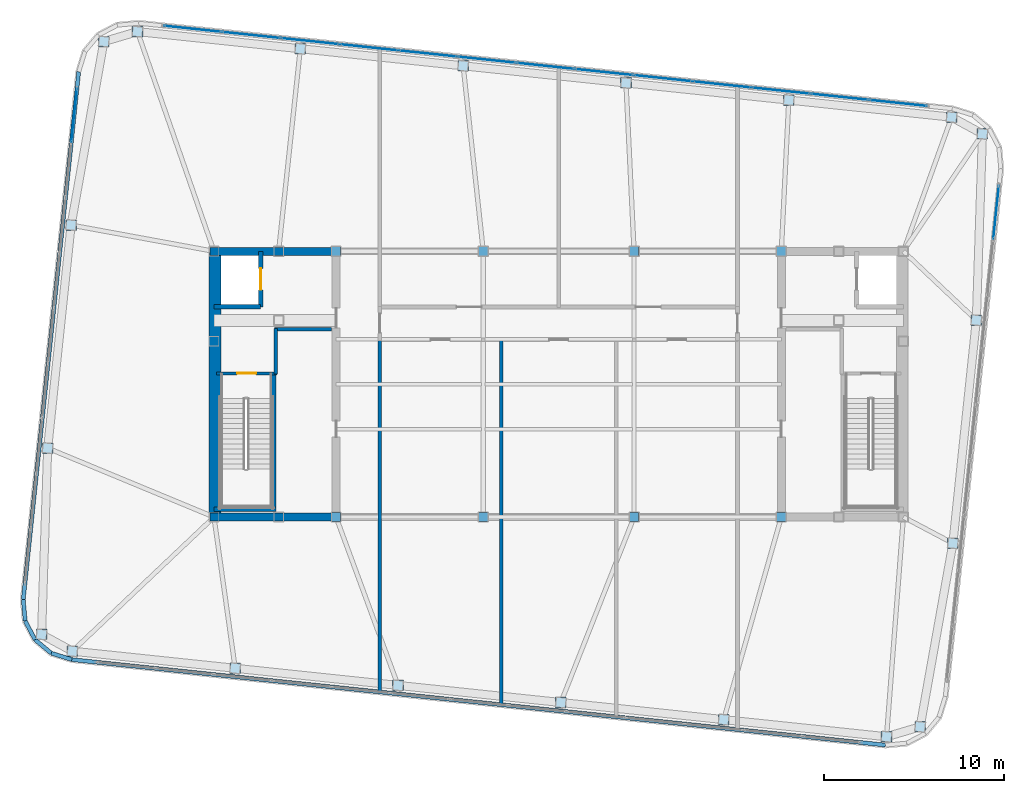
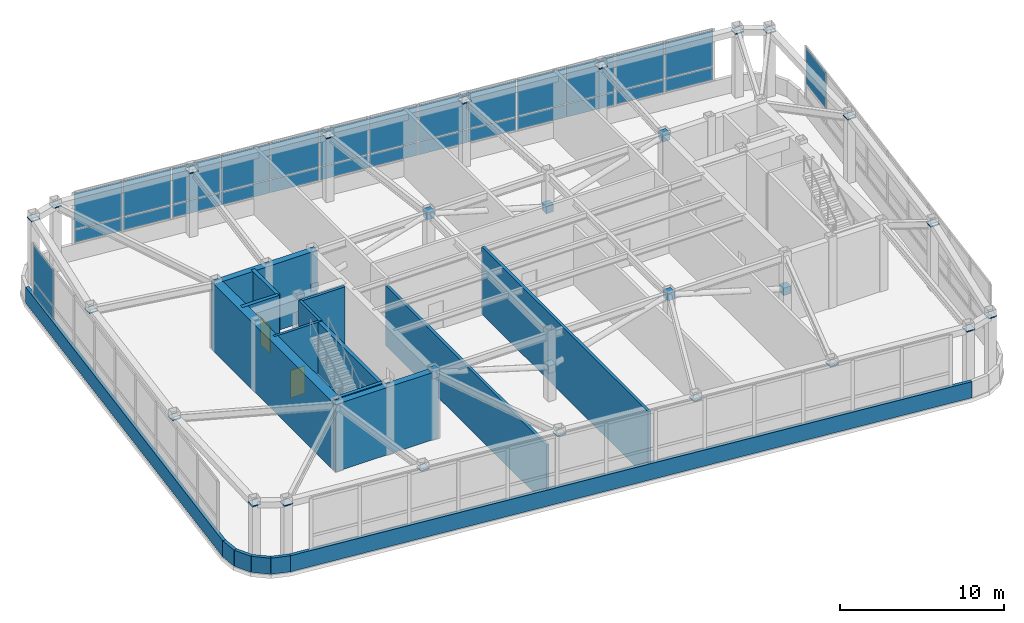
# One storey, part 19 of 23: 57 plates, 18 walls, 2 doors, 2 openings, 3 elements without a shape of their own.
"""IFC4 building model written with IfcOpenShell, lengths in metres."""

from ifc_helpers import new_model, si_unit, direction, frame, frame_2d, origin, origin_2d, place, context, subcontext, project, spatial, rectangle, extrude, material, layer, layer_set, type_object, element, fill, aggregate, save


model = new_model("IFC4")

# Units and contexts
model_context = context("Model", 3, precision=1e-05, world=origin(), true_north=direction((0.0, 1.0)))
body_context = subcontext(model_context, "Body", "Model", "MODEL_VIEW")
ifc_project = project(units=[si_unit("LENGTHUNIT", "METRE"), si_unit("AREAUNIT", "SQUARE_METRE"), si_unit("VOLUMEUNIT", "CUBIC_METRE"), si_unit("PLANEANGLEUNIT", "RADIAN"), si_unit("MASSUNIT", "GRAM", prefix="KILO")], contexts=[model_context])

# Site, building, storey
site_placement = place(None, origin())
site = spatial("IfcSite", under=ifc_project, at=site_placement, CompositionType="ELEMENT")
building_placement = place(site_placement, origin())
building = spatial("IfcBuilding", under=site, at=building_placement, Name="Voryun Gate Residences", CompositionType="ELEMENT")
storey_placement = place(building_placement, frame((0.0, 0.0, 331.89990234375)))
storey = spatial("IfcBuildingStorey", under=building, at=storey_placement, Name="L81", CompositionType="ELEMENT", Elevation=331.89990234375)

# Plates
ifc_material_1 = material(Name="Steel SM355", Category="steel")
ifc_layer_1 = layer(ifc_material_1, 0.02490234375, Name="PLT_END_CAP_25")
ifc_layer_set_1 = layer_set([ifc_layer_1], Name="Steel SM355")
plate_type_1 = type_object("IfcPlateType", Name="PLT_END_CAP_25", PredefinedType="USERDEFINED", material=ifc_layer_set_1)
for number, where, z_axis, x_axis, name in (
    (1, (-27.088623046875, -14.87158203125, 4.760009765625), (0.0, 0.0, 1.0), (1.0, 0.0, 0.0), "L81 Hollow Member End-Cap Plate EC-1047"),
    (2, (-18.0185546875, -15.824951171875, 4.760009765625), (0.0, 0.0, 1.0), (1.0, 0.0, 0.0), "L81 Hollow Member End-Cap Plate EC-1048"),
    (3, (-8.948486328125, -16.7783203125, 4.760009765625), (0.0, 0.0, 1.0), (1.0, 0.0, 0.0), "L81 Hollow Member End-Cap Plate EC-1049"),
    (4, (0.12158203125, -17.731689453125, 4.760009765625), (0.0, 0.0, 1.0), (1.0, 0.0, 0.0), "L81 Hollow Member End-Cap Plate EC-1050"),
    (5, (9.19140625, -18.684814453125, 4.760009765625), (0.0, 0.0, 1.0), (1.0, 0.0, 0.0), "L81 Hollow Member End-Cap Plate EC-1051"),
    (6, (18.261474609375, -19.63818359375, 4.760009765625), (0.0, 0.0, 1.0), (1.0, 0.0, 0.0), "L81 Hollow Member End-Cap Plate EC-1052"),
    (7, (20.1328125, -19.083984375, 4.760009765625), (0.0, 0.0, 1.0), (1.0, 0.0, 0.0), "L81 Hollow Member End-Cap Plate EC-1053"),
    (8, (21.958251953125, -8.861572265625, 4.760009765625), (0.0, 0.0, 1.0), (1.0, 0.0, 0.0), "L81 Hollow Member End-Cap Plate EC-1054"),
    (9, (23.263916015625, 3.56201171875, 4.760009765625), (0.0, 0.0, 1.0), (1.0, 0.0, 0.0), "L81 Hollow Member End-Cap Plate EC-1055"),
    (10, (23.603759765625, 13.9404296875, 4.760009765625), (0.0, 0.0, 1.0), (1.0, 0.0, 0.0), "L81 Hollow Member End-Cap Plate EC-1056"),
    (11, (21.888671875, 14.87158203125, 4.760009765625), (0.0, 0.0, 1.0), (1.0, 0.0, 0.0), "L81 Hollow Member End-Cap Plate EC-1057"),
    (12, (12.818603515625, 15.824951171875, 4.760009765625), (0.0, 0.0, 1.0), (1.0, 0.0, 0.0), "L81 Hollow Member End-Cap Plate EC-1058"),
    (13, (3.74853515625, 16.7783203125, 4.760009765625), (0.0, 0.0, 1.0), (1.0, 0.0, 0.0), "L81 Hollow Member End-Cap Plate EC-1059"),
    (14, (-5.3212890625, 17.731689453125, 4.760009765625), (0.0, 0.0, 1.0), (1.0, 0.0, 0.0), "L81 Hollow Member End-Cap Plate EC-1060"),
    (15, (-14.3916015625, 18.684814453125, 4.760009765625), (0.0, 0.0, 1.0), (1.0, 0.0, 0.0), "L81 Hollow Member End-Cap Plate EC-1061"),
    (16, (-23.46142578125, 19.63818359375, 4.760009765625), (0.0, 0.0, 1.0), (1.0, 0.0, 0.0), "L81 Hollow Member End-Cap Plate EC-1062"),
    (17, (-25.332763671875, 19.083984375, 4.760009765625), (0.0, 0.0, 1.0), (1.0, 0.0, 0.0), "L81 Hollow Member End-Cap Plate EC-1063"),
    (18, (-27.158203125, 8.861572265625, 4.760009765625), (0.0, 0.0, 1.0), (1.0, 0.0, 0.0), "L81 Hollow Member End-Cap Plate EC-1064"),
    (19, (-28.464111328125, -3.56201171875, 4.760009765625), (0.0, 0.0, 1.0), (1.0, 0.0, 0.0), "L81 Hollow Member End-Cap Plate EC-1065"),
    (20, (-28.8037109375, -13.9404296875, 4.760009765625), (0.0, 0.0, 1.0), (1.0, 0.0, 0.0), "L81 Hollow Member End-Cap Plate EC-1066"),
):
    element("IfcPlate", number, at=place(storey_placement, frame(where, z_axis=z_axis, x_axis=x_axis)), inside=storey, type_object=plate_type_1, Name=name, ObjectType="BASE_PLATE", PredefinedType="USERDEFINED", context=body_context, shape_type="SweptSolid", body=[
        extrude(rectangle(XDim=0.590087890625, YDim=0.590087890625, at=origin_2d()), origin(), (0.0, 0.0, 1.0), 0.080078125),
    ])
for number, where, z_axis, x_axis, name in (
    (21, (-12.39990234375, -7.39990234375, 4.565185546875), (0.0, 0.0, 1.0), (1.0, 0.0, 0.0), "L81 Brace Node Connection Plate BN-1068"),
    (22, (12.39990234375, -7.39990234375, 2.10009765625), (0.0, 0.0, 1.0), (1.0, 0.0, 0.0), "L81 Brace Node Connection Plate BN-1070"),
    (23, (-4.199951171875, 7.39990234375, 4.565185546875), (0.0, 0.0, 1.0), (1.0, 0.0, 0.0), "L81 Brace Node Connection Plate BN-1072"),
    (24, (12.39990234375, 7.39990234375, 4.565185546875), (0.0, 0.0, 1.0), (1.0, 0.0, 0.0), "L81 Brace Node Connection Plate BN-1074"),
):
    element("IfcPlate", number, at=place(storey_placement, frame(where, z_axis=z_axis, x_axis=x_axis)), inside=storey, type_object=plate_type_1, Name=name, ObjectType="BASE_PLATE", PredefinedType="USERDEFINED", context=body_context, shape_type="SweptSolid", body=[
        extrude(rectangle(XDim=0.52001953125, YDim=0.52001953125, at=origin_2d()), origin(), (0.0, 0.0, 1.0), 0.56005859375),
    ])

# Curtain wall, plates
ifc_material_2 = material(Name="Anodised aluminium", Category="aluminium")
ifc_layer_2 = layer(ifc_material_2, 0.22998046875, Name="CW_SYS_LANTERN_DARK_GLASS")
ifc_layer_set_2 = layer_set([ifc_layer_2], Name="Anodised aluminium")
curtain_wall_type = type_object("IfcCurtainWallType", Name="CW_SYS_LANTERN_DARK_GLASS", PredefinedType="NOTDEFINED", material=ifc_layer_set_2)
curtain_wall_1_placement = place(storey_placement, origin())
curtain_wall_1 = element("IfcCurtainWall", 25, at=curtain_wall_1_placement, inside=storey, type_object=curtain_wall_type, Name="Curtain wall CW6-L81-06", PredefinedType="NOTDEFINED")
ifc_material_3 = material(Name="Fritted lantern glass", Category="glass")
ifc_layer_3 = layer(ifc_material_3, 0.050048828125, Name="PLT_GLASS_FRIT_LANTERN")
ifc_layer_set_3 = layer_set([ifc_layer_3], Name="Fritted lantern glass")
plate_type_2 = type_object("IfcPlateType", Name="PLT_GLASS_FRIT_LANTERN", PredefinedType="CURTAIN_PANEL", material=ifc_layer_set_3)
plate_1_placement = place(storey_placement, frame((-26.989013671875, 14.9677734375, 1.25), z_axis=(0.0, 0.0, 1.0), x_axis=(0.104528004296, 0.994521943608, 0.0)))
plate_1 = element("IfcPlate", 26, at=plate_1_placement, type_object=plate_type_2, Name="CW6 panel 9.1", PredefinedType="CURTAIN_PANEL", context=body_context, shape_type="SweptSolid", body=[
    extrude(rectangle(XDim=2.997802734375, YDim=0.028076171875, at=origin_2d()), origin(), (0.0, 0.0, 1.0), 0.9599609375),
])
plate_2_placement = place(storey_placement, frame((-26.989013671875, 14.9677734375, 2.27001953125), z_axis=(0.0, 0.0, 1.0), x_axis=(0.104528004296, 0.994521943608, 0.0)))
plate_2 = element("IfcPlate", 27, at=plate_2_placement, type_object=plate_type_2, Name="CW6 panel 9.2", PredefinedType="CURTAIN_PANEL", context=body_context, shape_type="SweptSolid", body=[
    extrude(rectangle(XDim=2.997802734375, YDim=0.028076171875, at=origin_2d()), origin(), (0.0, 0.0, 1.0), 2.695068359375),
])
aggregate(curtain_wall_1, [plate_1, plate_2])

curtain_wall_2_placement = place(storey_placement, origin())
curtain_wall_2 = element("IfcCurtainWall", 28, at=curtain_wall_2_placement, inside=storey, type_object=curtain_wall_type, Name="Curtain wall CW6-L81-11", PredefinedType="NOTDEFINED")
plate_3_placement = place(storey_placement, frame((-20.382080078125, 19.787109375, 1.25), z_axis=(0.0, 0.0, 1.0), x_axis=(0.994521969434, -0.10452775858, 0.0)))
plate_3 = element("IfcPlate", 29, at=plate_3_placement, type_object=plate_type_2, Name="CW6 panel 1.1", PredefinedType="CURTAIN_PANEL", context=body_context, shape_type="SweptSolid", body=[
    extrude(rectangle(XDim=3.20458984375, YDim=0.028076171875, at=origin_2d()), origin(), (0.0, 0.0, 1.0), 0.9599609375),
])
plate_4_placement = place(storey_placement, frame((-20.382080078125, 19.787109375, 2.27001953125), z_axis=(0.0, 0.0, 1.0), x_axis=(0.994521969434, -0.10452775858, 0.0)))
plate_4 = element("IfcPlate", 30, at=plate_4_placement, type_object=plate_type_2, Name="CW6 panel 1.2", PredefinedType="CURTAIN_PANEL", context=body_context, shape_type="SweptSolid", body=[
    extrude(rectangle(XDim=3.20458984375, YDim=0.028076171875, at=origin_2d()), origin(), (0.0, 0.0, 1.0), 2.695068359375),
])
plate_5_placement = place(storey_placement, frame((-17.120361328125, 19.4443359375, 1.25), z_axis=(0.0, 0.0, 1.0), x_axis=(0.994521969434, -0.10452775858, 0.0)))
plate_5 = element("IfcPlate", 31, at=plate_5_placement, type_object=plate_type_2, Name="CW6 panel 2.1", PredefinedType="CURTAIN_PANEL", context=body_context, shape_type="SweptSolid", body=[
    extrude(rectangle(XDim=3.234619140625, YDim=0.028076171875, at=origin_2d()), origin(), (0.0, 0.0, 1.0), 0.9599609375),
])
plate_6_placement = place(storey_placement, frame((-17.120361328125, 19.4443359375, 2.27001953125), z_axis=(0.0, 0.0, 1.0), x_axis=(0.994521969434, -0.10452775858, 0.0)))
plate_6 = element("IfcPlate", 32, at=plate_6_placement, type_object=plate_type_2, Name="CW6 panel 2.2", PredefinedType="CURTAIN_PANEL", context=body_context, shape_type="SweptSolid", body=[
    extrude(rectangle(XDim=3.234619140625, YDim=0.028076171875, at=origin_2d()), origin(), (0.0, 0.0, 1.0), 2.695068359375),
])
plate_7_placement = place(storey_placement, frame((-13.84375, 19.099853515625, 1.25), z_axis=(0.0, 0.0, 1.0), x_axis=(0.994521969434, -0.10452775858, 0.0)))
plate_7 = element("IfcPlate", 33, at=plate_7_placement, type_object=plate_type_2, Name="CW6 panel 3.1", PredefinedType="CURTAIN_PANEL", context=body_context, shape_type="SweptSolid", body=[
    extrude(rectangle(XDim=3.234619140625, YDim=0.028076171875, at=origin_2d()), origin(), (0.0, 0.0, 1.0), 0.9599609375),
])
plate_8_placement = place(storey_placement, frame((-13.84375, 19.099853515625, 2.27001953125), z_axis=(0.0, 0.0, 1.0), x_axis=(0.994521969434, -0.10452775858, 0.0)))
plate_8 = element("IfcPlate", 34, at=plate_8_placement, type_object=plate_type_2, Name="CW6 panel 3.2", PredefinedType="CURTAIN_PANEL", context=body_context, shape_type="SweptSolid", body=[
    extrude(rectangle(XDim=3.234619140625, YDim=0.028076171875, at=origin_2d()), origin(), (0.0, 0.0, 1.0), 2.695068359375),
])
plate_9_placement = place(storey_placement, frame((-10.567138671875, 18.755615234375, 1.25), z_axis=(0.0, 0.0, 1.0), x_axis=(0.994521969434, -0.10452775858, 0.0)))
plate_9 = element("IfcPlate", 35, at=plate_9_placement, type_object=plate_type_2, Name="CW6 panel 4.1", PredefinedType="CURTAIN_PANEL", context=body_context, shape_type="SweptSolid", body=[
    extrude(rectangle(XDim=3.234619140625, YDim=0.028076171875, at=origin_2d()), origin(), (0.0, 0.0, 1.0), 0.9599609375),
])
plate_10_placement = place(storey_placement, frame((-10.567138671875, 18.755615234375, 2.27001953125), z_axis=(0.0, 0.0, 1.0), x_axis=(0.994521969434, -0.10452775858, 0.0)))
plate_10 = element("IfcPlate", 36, at=plate_10_placement, type_object=plate_type_2, Name="CW6 panel 4.2", PredefinedType="CURTAIN_PANEL", context=body_context, shape_type="SweptSolid", body=[
    extrude(rectangle(XDim=3.234619140625, YDim=0.028076171875, at=origin_2d()), origin(), (0.0, 0.0, 1.0), 2.695068359375),
])
plate_11_placement = place(storey_placement, frame((-7.29052734375, 18.4111328125, 1.25), z_axis=(0.0, 0.0, 1.0), x_axis=(0.994521969434, -0.10452775858, 0.0)))
plate_11 = element("IfcPlate", 37, at=plate_11_placement, type_object=plate_type_2, Name="CW6 panel 5.1", PredefinedType="CURTAIN_PANEL", context=body_context, shape_type="SweptSolid", body=[
    extrude(rectangle(XDim=3.234619140625, YDim=0.028076171875, at=origin_2d()), origin(), (0.0, 0.0, 1.0), 0.9599609375),
])
plate_12_placement = place(storey_placement, frame((-7.29052734375, 18.4111328125, 2.27001953125), z_axis=(0.0, 0.0, 1.0), x_axis=(0.994521969434, -0.10452775858, 0.0)))
plate_12 = element("IfcPlate", 38, at=plate_12_placement, type_object=plate_type_2, Name="CW6 panel 5.2", PredefinedType="CURTAIN_PANEL", context=body_context, shape_type="SweptSolid", body=[
    extrude(rectangle(XDim=3.234619140625, YDim=0.028076171875, at=origin_2d()), origin(), (0.0, 0.0, 1.0), 2.695068359375),
])
plate_13_placement = place(storey_placement, frame((-4.013916015625, 18.06689453125, 1.25), z_axis=(0.0, 0.0, 1.0), x_axis=(0.994521969434, -0.10452775858, 0.0)))
plate_13 = element("IfcPlate", 39, at=plate_13_placement, type_object=plate_type_2, Name="CW6 panel 6.1", PredefinedType="CURTAIN_PANEL", context=body_context, shape_type="SweptSolid", body=[
    extrude(rectangle(XDim=3.234619140625, YDim=0.028076171875, at=origin_2d()), origin(), (0.0, 0.0, 1.0), 0.9599609375),
])
plate_14_placement = place(storey_placement, frame((-4.013916015625, 18.06689453125, 2.27001953125), z_axis=(0.0, 0.0, 1.0), x_axis=(0.994521969434, -0.10452775858, 0.0)))
plate_14 = element("IfcPlate", 40, at=plate_14_placement, type_object=plate_type_2, Name="CW6 panel 6.2", PredefinedType="CURTAIN_PANEL", context=body_context, shape_type="SweptSolid", body=[
    extrude(rectangle(XDim=3.234619140625, YDim=0.028076171875, at=origin_2d()), origin(), (0.0, 0.0, 1.0), 2.695068359375),
])
plate_15_placement = place(storey_placement, frame((-0.7373046875, 17.722412109375, 1.25), z_axis=(0.0, 0.0, 1.0), x_axis=(0.994521969434, -0.10452775858, 0.0)))
plate_15 = element("IfcPlate", 41, at=plate_15_placement, type_object=plate_type_2, Name="CW6 panel 7.1", PredefinedType="CURTAIN_PANEL", context=body_context, shape_type="SweptSolid", body=[
    extrude(rectangle(XDim=3.234619140625, YDim=0.028076171875, at=origin_2d()), origin(), (0.0, 0.0, 1.0), 0.9599609375),
])
plate_16_placement = place(storey_placement, frame((-0.7373046875, 17.722412109375, 2.27001953125), z_axis=(0.0, 0.0, 1.0), x_axis=(0.994521969434, -0.10452775858, 0.0)))
plate_16 = element("IfcPlate", 42, at=plate_16_placement, type_object=plate_type_2, Name="CW6 panel 7.2", PredefinedType="CURTAIN_PANEL", context=body_context, shape_type="SweptSolid", body=[
    extrude(rectangle(XDim=3.234619140625, YDim=0.028076171875, at=origin_2d()), origin(), (0.0, 0.0, 1.0), 2.695068359375),
])
plate_17_placement = place(storey_placement, frame((2.539306640625, 17.3779296875, 1.25), z_axis=(0.0, 0.0, 1.0), x_axis=(0.994521969434, -0.10452775858, 0.0)))
plate_17 = element("IfcPlate", 43, at=plate_17_placement, type_object=plate_type_2, Name="CW6 panel 8.1", PredefinedType="CURTAIN_PANEL", context=body_context, shape_type="SweptSolid", body=[
    extrude(rectangle(XDim=3.234619140625, YDim=0.028076171875, at=origin_2d()), origin(), (0.0, 0.0, 1.0), 0.9599609375),
])
plate_18_placement = place(storey_placement, frame((2.539306640625, 17.3779296875, 2.27001953125), z_axis=(0.0, 0.0, 1.0), x_axis=(0.994521969434, -0.10452775858, 0.0)))
plate_18 = element("IfcPlate", 44, at=plate_18_placement, type_object=plate_type_2, Name="CW6 panel 8.2", PredefinedType="CURTAIN_PANEL", context=body_context, shape_type="SweptSolid", body=[
    extrude(rectangle(XDim=3.234619140625, YDim=0.028076171875, at=origin_2d()), origin(), (0.0, 0.0, 1.0), 2.695068359375),
])
plate_19_placement = place(storey_placement, frame((5.81591796875, 17.03369140625, 1.25), z_axis=(0.0, 0.0, 1.0), x_axis=(0.994521969434, -0.10452775858, 0.0)))
plate_19 = element("IfcPlate", 45, at=plate_19_placement, type_object=plate_type_2, Name="CW6 panel 9.1", PredefinedType="CURTAIN_PANEL", context=body_context, shape_type="SweptSolid", body=[
    extrude(rectangle(XDim=3.234619140625, YDim=0.028076171875, at=origin_2d()), origin(), (0.0, 0.0, 1.0), 0.9599609375),
])
plate_20_placement = place(storey_placement, frame((5.81591796875, 17.03369140625, 2.27001953125), z_axis=(0.0, 0.0, 1.0), x_axis=(0.994521969434, -0.10452775858, 0.0)))
plate_20 = element("IfcPlate", 46, at=plate_20_placement, type_object=plate_type_2, Name="CW6 panel 9.2", PredefinedType="CURTAIN_PANEL", context=body_context, shape_type="SweptSolid", body=[
    extrude(rectangle(XDim=3.234619140625, YDim=0.028076171875, at=origin_2d()), origin(), (0.0, 0.0, 1.0), 2.695068359375),
])
plate_21_placement = place(storey_placement, frame((9.092529296875, 16.689208984375, 1.25), z_axis=(0.0, 0.0, 1.0), x_axis=(0.994521969434, -0.10452775858, 0.0)))
plate_21 = element("IfcPlate", 47, at=plate_21_placement, type_object=plate_type_2, Name="CW6 panel 10.1", PredefinedType="CURTAIN_PANEL", context=body_context, shape_type="SweptSolid", body=[
    extrude(rectangle(XDim=3.234619140625, YDim=0.028076171875, at=origin_2d()), origin(), (0.0, 0.0, 1.0), 0.9599609375),
])
plate_22_placement = place(storey_placement, frame((9.092529296875, 16.689208984375, 2.27001953125), z_axis=(0.0, 0.0, 1.0), x_axis=(0.994521969434, -0.10452775858, 0.0)))
plate_22 = element("IfcPlate", 48, at=plate_22_placement, type_object=plate_type_2, Name="CW6 panel 10.2", PredefinedType="CURTAIN_PANEL", context=body_context, shape_type="SweptSolid", body=[
    extrude(rectangle(XDim=3.234619140625, YDim=0.028076171875, at=origin_2d()), origin(), (0.0, 0.0, 1.0), 2.695068359375),
])
plate_23_placement = place(storey_placement, frame((12.369140625, 16.344970703125, 1.25), z_axis=(0.0, 0.0, 1.0), x_axis=(0.994521969434, -0.10452775858, 0.0)))
plate_23 = element("IfcPlate", 49, at=plate_23_placement, type_object=plate_type_2, Name="CW6 panel 11.1", PredefinedType="CURTAIN_PANEL", context=body_context, shape_type="SweptSolid", body=[
    extrude(rectangle(XDim=3.234619140625, YDim=0.028076171875, at=origin_2d()), origin(), (0.0, 0.0, 1.0), 0.9599609375),
])
plate_24_placement = place(storey_placement, frame((12.369140625, 16.344970703125, 2.27001953125), z_axis=(0.0, 0.0, 1.0), x_axis=(0.994521969434, -0.10452775858, 0.0)))
plate_24 = element("IfcPlate", 50, at=plate_24_placement, type_object=plate_type_2, Name="CW6 panel 11.2", PredefinedType="CURTAIN_PANEL", context=body_context, shape_type="SweptSolid", body=[
    extrude(rectangle(XDim=3.234619140625, YDim=0.028076171875, at=origin_2d()), origin(), (0.0, 0.0, 1.0), 2.695068359375),
])
plate_25_placement = place(storey_placement, frame((15.645751953125, 16.00048828125, 1.25), z_axis=(0.0, 0.0, 1.0), x_axis=(0.994521969434, -0.10452775858, 0.0)))
plate_25 = element("IfcPlate", 51, at=plate_25_placement, type_object=plate_type_2, Name="CW6 panel 12.1", PredefinedType="CURTAIN_PANEL", context=body_context, shape_type="SweptSolid", body=[
    extrude(rectangle(XDim=3.234619140625, YDim=0.028076171875, at=origin_2d()), origin(), (0.0, 0.0, 1.0), 0.9599609375),
])
plate_26_placement = place(storey_placement, frame((15.645751953125, 16.00048828125, 2.27001953125), z_axis=(0.0, 0.0, 1.0), x_axis=(0.994521969434, -0.10452775858, 0.0)))
plate_26 = element("IfcPlate", 52, at=plate_26_placement, type_object=plate_type_2, Name="CW6 panel 12.2", PredefinedType="CURTAIN_PANEL", context=body_context, shape_type="SweptSolid", body=[
    extrude(rectangle(XDim=3.234619140625, YDim=0.028076171875, at=origin_2d()), origin(), (0.0, 0.0, 1.0), 2.695068359375),
])
plate_27_placement = place(storey_placement, frame((18.907470703125, 15.65771484375, 1.25), z_axis=(0.0, 0.0, 1.0), x_axis=(0.994521969434, -0.10452775858, 0.0)))
plate_27 = element("IfcPlate", 53, at=plate_27_placement, type_object=plate_type_2, Name="CW6 panel 13.1", PredefinedType="CURTAIN_PANEL", context=body_context, shape_type="SweptSolid", body=[
    extrude(rectangle(XDim=3.20458984375, YDim=0.028076171875, at=origin_2d()), origin(), (0.0, 0.0, 1.0), 0.9599609375),
])
plate_28_placement = place(storey_placement, frame((18.907470703125, 15.65771484375, 2.27001953125), z_axis=(0.0, 0.0, 1.0), x_axis=(0.994521969434, -0.10452775858, 0.0)))
plate_28 = element("IfcPlate", 54, at=plate_28_placement, type_object=plate_type_2, Name="CW6 panel 13.2", PredefinedType="CURTAIN_PANEL", context=body_context, shape_type="SweptSolid", body=[
    extrude(rectangle(XDim=3.20458984375, YDim=0.028076171875, at=origin_2d()), origin(), (0.0, 0.0, 1.0), 2.695068359375),
])
aggregate(curtain_wall_2, [plate_3, plate_4, plate_5, plate_6, plate_7, plate_8, plate_9, plate_10, plate_11, plate_12, plate_13, plate_14, plate_15, plate_16, plate_17, plate_18, plate_19, plate_20, plate_21, plate_22, plate_23, plate_24, plate_25, plate_26, plate_27, plate_28])

# Curtain wall, plate
curtain_wall_3_placement = place(storey_placement, origin())
curtain_wall_3 = element("IfcCurtainWall", 55, at=curtain_wall_3_placement, inside=storey, type_object=curtain_wall_type, Name="Curtain wall CW6-L81-16", PredefinedType="NOTDEFINED")
plate_29_placement = place(storey_placement, frame((24.3681640625, 9.56982421875, 2.27001953125), z_axis=(0.0, 0.0, 1.0), x_axis=(-0.104528004296, -0.994521943608, 0.0)))
plate_29 = element("IfcPlate", 56, at=plate_29_placement, type_object=plate_type_2, Name="CW6 panel 1.2", PredefinedType="CURTAIN_PANEL", context=body_context, shape_type="SweptSolid", body=[
    extrude(rectangle(XDim=2.997802734375, YDim=0.028076171875, at=origin_2d()), origin(), (0.0, 0.0, 1.0), 2.695068359375),
])
aggregate(curtain_wall_3, [plate_29])

# Plates
ifc_material_4 = material(Name="Steel SM420", Category="steel")
ifc_layer_4 = layer(ifc_material_4, 0.035888671875, Name="PLT_OUTRIGGER_GUSSET_36")
ifc_layer_set_4 = layer_set([ifc_layer_4], Name="Steel SM420")
plate_type_3 = type_object("IfcPlateType", Name="PLT_OUTRIGGER_GUSSET_36", PredefinedType="USERDEFINED", material=ifc_layer_set_4)
for number, where, z_axis, x_axis, name in (
    (57, (-4.199951171875, -7.39990234375, 2.10009765625), (0.0, 0.0, 1.0), (1.0, 0.0, 0.0), "L81 Brace Node Connection Plate BN-1067"),
    (58, (4.199951171875, -7.39990234375, 4.565185546875), (0.0, 0.0, 1.0), (1.0, 0.0, 0.0), "L81 Brace Node Connection Plate BN-1069"),
    (59, (-12.39990234375, 7.39990234375, 2.10009765625), (0.0, 0.0, 1.0), (1.0, 0.0, 0.0), "L81 Brace Node Connection Plate BN-1071"),
    (60, (4.199951171875, 7.39990234375, 2.10009765625), (0.0, 0.0, 1.0), (1.0, 0.0, 0.0), "L81 Brace Node Connection Plate BN-1073"),
):
    element("IfcPlate", number, at=place(storey_placement, frame(where, z_axis=z_axis, x_axis=x_axis)), inside=storey, type_object=plate_type_3, Name=name, ObjectType="GUSSET_PLATE", PredefinedType="USERDEFINED", context=body_context, shape_type="SweptSolid", body=[
        extrude(rectangle(XDim=0.52001953125, YDim=0.52001953125, at=origin_2d()), origin(), (0.0, 0.0, 1.0), 0.56005859375),
    ])

# Walls
ifc_material_5 = material(Name="Concrete C50/60", Category="concrete")
ifc_layer_5 = layer(ifc_material_5, 0.449951171875, Name="CW_CORE_450")
ifc_layer_set_5 = layer_set([ifc_layer_5], Name="Concrete C50/60")
wall_type_1 = type_object("IfcWallType", Name="CW_CORE_450", PredefinedType="SHEAR", material=ifc_layer_set_5)
for number, where, z_axis, x_axis, name in (
    (61, (-19.425048828125, -7.39990234375, 0.0), (0.0, 0.0, 1.0), (1.0, 0.0, 0.0), "L81 Core shear wall CW-L81-WS"),
    (62, (-19.425048828125, 7.39990234375, 0.0), (0.0, 0.0, 1.0), (1.0, 0.0, 0.0), "L81 Core shear wall CW-L81-WN"),
):
    element("IfcWall", number, at=place(storey_placement, frame(where, z_axis=z_axis, x_axis=x_axis)), inside=storey, type_object=wall_type_1, Name=name, PredefinedType="SHEAR", context=body_context, shape_type="SweptSolid", body=[
        extrude(rectangle(XDim=7.25, YDim=0.449951171875, at=frame_2d((3.625, 0.0))), origin(), (0.0, 0.0, 1.0), 5.025146484375),
    ])
ifc_material_6 = material(Name="Concrete C60/75", Category="concrete")
ifc_layer_6 = layer(ifc_material_6, 0.64990234375, Name="CW_CORE_650")
ifc_layer_set_6 = layer_set([ifc_layer_6], Name="Concrete C60/75")
wall_type_2 = type_object("IfcWallType", Name="CW_CORE_650", PredefinedType="SHEAR", material=ifc_layer_set_6)
wall_1_placement = place(storey_placement, frame((-19.14501953125, -7.39990234375, 0.0), z_axis=(0.0, 0.0, 1.0), x_axis=(0.0, 1.0, 0.0)))
element("IfcWall", 63, at=wall_1_placement, inside=storey, type_object=wall_type_2, Name="L81 Core shear wall CW-L81-WW", PredefinedType="SHEAR", context=body_context, shape_type="SweptSolid", body=[
    extrude(rectangle(XDim=14.7998046875, YDim=0.64990234375, at=frame_2d((7.39990234375, 0.0))), origin(), (0.0, 0.0, 1.0), 5.025146484375),
])

# Wall, opening, door
ifc_material_7 = material(Name="Gypsum acoustic fireboard")
ifc_layer_7 = layer(ifc_material_7, 0.179931640625, Name="W_CORR_RATED_180")
ifc_layer_set_7 = layer_set([ifc_layer_7], Name="Gypsum acoustic fireboard")
wall_type_3 = type_object("IfcWallType", Name="W_CORR_RATED_180", PredefinedType="PARTITIONING", material=ifc_layer_set_7)
wall_2_placement = place(storey_placement, frame((-19.06005859375, 0.60009765625, 0.0), z_axis=(0.0, 0.0, 1.0), x_axis=(1.0, 0.0, 0.0)))
wall_2 = element("IfcWall", 64, at=wall_2_placement, inside=storey, type_object=wall_type_3, Name="Partition wall WP-L81-STV-W", PredefinedType="PARTITIONING", context=body_context, shape_type="SweptSolid", body=[
    extrude(rectangle(XDim=3.360107421875, YDim=0.179931640625, at=frame_2d((1.68017578125, 0.0))), origin(), (0.0, 0.0, 1.0), 5.025146484375),
])
opening_1_placement = place(wall_2_placement, frame((1.155029296875, 0.0, 0.0)))
opening_1 = element("IfcOpeningElement", 65, at=opening_1_placement, cuts=wall_2, Name="Opening D-FD60-1", PredefinedType="OPENING", context=body_context, shape_type="SweptSolid", body=[
    extrude(rectangle(XDim=1.050048828125, YDim=2.050048828125, at=frame_2d((0.52490234375, 1.02490234375))), frame((0.0, 0.099853515625, 0.0), z_axis=(0.0, -1.0, 0.0), x_axis=(1.0, 0.0, 0.0)), (0.0, 0.0, 1.0), 0.199951171875),
])
ifc_material_8 = material(Name="Painted steel fire door", Category="steel")
door_type_1 = type_object("IfcDoorType", Name="DR_FD60_STAIR_1050", OperationType="NOTDEFINED", PredefinedType="DOOR", material=ifc_material_8)
door_1_placement = place(opening_1_placement, origin())
door_1 = element("IfcDoor", 66, at=door_1_placement, inside=storey, type_object=door_type_1, Name="Door DR-L81-ST-W", OperationType="SINGLE_SWING_LEFT", OverallHeight=2.050048828125, OverallWidth=1.050048828125, PredefinedType="DOOR", context=body_context, shape_type="SweptSolid", body=[
    extrude(rectangle(XDim=1.050048828125, YDim=2.050048828125, at=frame_2d((0.52490234375, 1.02490234375))), frame((0.0, 0.02490234375, 0.0), z_axis=(0.0, -1.0, 0.0), x_axis=(1.0, 0.0, 0.0)), (0.0, 0.0, 1.0), 0.050048828125),
])
fill(opening_1, door_1)

# Walls
ifc_material_9 = material(Name="Concrete C40/50", Category="concrete")
ifc_layer_8 = layer(ifc_material_9, 0.199951171875, Name="W_FF_LOBBY_200")
ifc_layer_set_8 = layer_set([ifc_layer_8], Name="Concrete C40/50")
wall_type_4 = type_object("IfcWallType", Name="W_FF_LOBBY_200", PredefinedType="PARTITIONING", material=ifc_layer_set_8)
wall_3_placement = place(storey_placement, frame((-15.760009765625, 0.580078125, 0.0), z_axis=(0.0, 0.0, 1.0), x_axis=(0.0, 1.0, 0.0)))
element("IfcWall", 67, at=wall_3_placement, inside=storey, type_object=wall_type_4, Name="Partition wall WP-L81-FFP0-W", PredefinedType="PARTITIONING", context=body_context, shape_type="SweptSolid", body=[
    extrude(rectangle(XDim=2.52001953125, YDim=0.199951171875, at=frame_2d((1.260009765625, 0.0))), origin(), (0.0, 0.0, 1.0), 5.025146484375),
])
wall_4_placement = place(storey_placement, frame((-15.820068359375, 3.06005859375, 0.0), z_axis=(0.0, 0.0, 1.0), x_axis=(1.0, 0.0, 0.0)))
element("IfcWall", 68, at=wall_4_placement, inside=storey, type_object=wall_type_4, Name="Partition wall WP-L81-FFPS-W", PredefinedType="PARTITIONING", context=body_context, shape_type="SweptSolid", body=[
    extrude(rectangle(XDim=3.16015625, YDim=0.199951171875, at=frame_2d((1.580078125, 0.0))), origin(), (0.0, 0.0, 1.0), 5.025146484375),
])
wall_5_placement = place(storey_placement, frame((-9.9599609375, -17.12451171875, 0.0), z_axis=(0.0, 0.0, 1.0), x_axis=(0.0, 1.0, 0.0)))
element("IfcWall", 69, at=wall_5_placement, inside=storey, type_object=wall_type_4, Name="Partition wall WP-L81-CW1", PredefinedType="PARTITIONING", context=body_context, shape_type="SweptSolid", body=[
    extrude(rectangle(XDim=19.62451171875, YDim=0.199951171875, at=frame_2d((9.812255859375, 0.0))), origin(), (0.0, 0.0, 1.0), 4.465087890625),
])
wall_6_placement = place(storey_placement, frame((-3.199951171875, -17.8349609375, 0.0), z_axis=(0.0, 0.0, 1.0), x_axis=(0.0, 1.0, 0.0)))
element("IfcWall", 70, at=wall_6_placement, inside=storey, type_object=wall_type_4, Name="Partition wall WP-L81-CMIDS1", PredefinedType="PARTITIONING", context=body_context, shape_type="SweptSolid", body=[
    extrude(rectangle(XDim=20.3349609375, YDim=0.199951171875, at=frame_2d((10.16748046875, 0.0))), origin(), (0.0, 0.0, 1.0), 5.025146484375),
])
ifc_material_10 = material(Name="Precast concrete C40/50", Category="concrete")
ifc_layer_9 = layer(ifc_material_10, 0.219970703125, Name="W_PARAPET_CURB_220")
ifc_layer_set_9 = layer_set([ifc_layer_9], Name="Precast concrete C40/50")
wall_type_5 = type_object("IfcWallType", Name="W_PARAPET_CURB_220", PredefinedType="PARAPET", material=ifc_layer_set_9)
wall_7_placement = place(storey_placement, frame((18.19482421875, -20.103759765625, 0.0), z_axis=(0.0, 0.0, 1.0), x_axis=(-0.994522116558, 0.104526358762, 0.0)))
element("IfcWall", 71, at=wall_7_placement, inside=storey, type_object=wall_type_5, Name="Exterior wall WCRN-L81-01", PredefinedType="PARAPET", context=body_context, shape_type="SweptSolid", body=[
    extrude(rectangle(XDim=45.564453125, YDim=0.219970703125, at=frame_2d((22.7822265625, 0.0))), origin(), (0.0, 0.0, 1.0), 1.2001953125),
])
wall_8_placement = place(storey_placement, frame((-27.1201171875, -15.341064453125, 0.0), z_axis=(0.0, 0.0, 1.0), x_axis=(-0.95499831015, 0.296611239858, 0.0)))
element("IfcWall", 72, at=wall_8_placement, inside=storey, type_object=wall_type_5, Name="Exterior wall WCRN-L81-02", PredefinedType="PARAPET", context=body_context, shape_type="SweptSolid", body=[
    extrude(rectangle(XDim=1.195068359375, YDim=0.219970703125, at=frame_2d((0.59765625, 0.0))), origin(), (0.0, 0.0, 1.0), 1.2001953125),
])
wall_9_placement = place(storey_placement, frame((-28.261474609375, -14.986572265625, 0.0), z_axis=(0.0, 0.0, 1.0), x_axis=(-0.768849923601, 0.639429272852, 0.0)))
element("IfcWall", 73, at=wall_9_placement, inside=storey, type_object=wall_type_5, Name="Exterior wall WCRN-L81-03", PredefinedType="PARAPET", context=body_context, shape_type="SweptSolid", body=[
    extrude(rectangle(XDim=1.177001953125, YDim=0.219970703125, at=frame_2d((0.58837890625, 0.0))), origin(), (0.0, 0.0, 1.0), 1.2001953125),
])
wall_10_placement = place(storey_placement, frame((-29.16650390625, -14.23388671875, 0.0), z_axis=(0.0, 0.0, 1.0), x_axis=(-0.46554120999, 0.885026204019, 0.0)))
element("IfcWall", 74, at=wall_10_placement, inside=storey, type_object=wall_type_5, Name="Exterior wall WCRN-L81-04", PredefinedType="PARAPET", context=body_context, shape_type="SweptSolid", body=[
    extrude(rectangle(XDim=1.1767578125, YDim=0.219970703125, at=frame_2d((0.58837890625, 0.0))), origin(), (0.0, 0.0, 1.0), 1.2001953125),
])
wall_11_placement = place(storey_placement, frame((-29.71435546875, -13.1923828125, 0.0), z_axis=(0.0, 0.0, 1.0), x_axis=(-0.091530451467, 0.995802277791, 0.0)))
element("IfcWall", 75, at=wall_11_placement, inside=storey, type_object=wall_type_5, Name="Exterior wall WCRN-L81-05", PredefinedType="PARAPET", context=body_context, shape_type="SweptSolid", body=[
    extrude(rectangle(XDim=1.195068359375, YDim=0.219970703125, at=frame_2d((0.59765625, 0.0))), origin(), (0.0, 0.0, 1.0), 1.2001953125),
])
wall_12_placement = place(storey_placement, frame((-29.82373046875, -12.00244140625, 0.0), z_axis=(0.0, 0.0, 1.0), x_axis=(0.104528313262, 0.994521911134, 0.0)))
element("IfcWall", 76, at=wall_12_placement, inside=storey, type_object=wall_type_5, Name="Exterior wall WCRN-L81-06", PredefinedType="PARAPET", context=body_context, shape_type="SweptSolid", body=[
    extrude(rectangle(XDim=29.564453125, YDim=0.219970703125, at=frame_2d((14.7822265625, 0.0))), origin(), (0.0, 0.0, 1.0), 1.2001953125),
])
ifc_material_11 = material(Name="Concrete C50/60", Category="concrete")
ifc_layer_10 = layer(ifc_material_11, 0.25, Name="W_SHAFT_RC250")
ifc_layer_set_10 = layer_set([ifc_layer_10], Name="Concrete C50/60")
wall_type_6 = type_object("IfcWallType", Name="W_SHAFT_RC250", PredefinedType="SOLIDWALL", material=ifc_layer_set_10)
wall_13_placement = place(storey_placement, frame((-15.860107421875, -7.0849609375, 0.0), z_axis=(0.0, 0.0, 1.0), x_axis=(0.0, 1.0, 0.0)))
element("IfcWall", 77, at=wall_13_placement, inside=storey, type_object=wall_type_6, Name="L81 Stair shaft structural wall W-STR", PredefinedType="SOLIDWALL", context=body_context, shape_type="SweptSolid", body=[
    extrude(rectangle(XDim=7.68505859375, YDim=0.25, at=frame_2d((3.842529296875, 0.0))), origin(), (0.0, 0.0, 1.0), 5.025146484375),
])
wall_14_placement = place(storey_placement, frame((-19.199951171875, -6.965087890625, 0.0), z_axis=(0.0, 0.0, 1.0), x_axis=(1.0, 0.0, 0.0)))
element("IfcWall", 78, at=wall_14_placement, inside=storey, type_object=wall_type_6, Name="L81 Stair shaft structural wall W-STS", PredefinedType="SOLIDWALL", context=body_context, shape_type="SweptSolid", body=[
    extrude(rectangle(XDim=3.4599609375, YDim=0.25, at=frame_2d((1.72998046875, 0.0))), origin(), (0.0, 0.0, 1.0), 5.025146484375),
])
wall_15_placement = place(storey_placement, frame((-19.199951171875, 4.300048828125, 0.0), z_axis=(0.0, 0.0, 1.0), x_axis=(1.0, 0.0, 0.0)))
element("IfcWall", 79, at=wall_15_placement, inside=storey, type_object=wall_type_6, Name="Lift shaft wall WSH-L81-EL-FF-W1-S", PredefinedType="SOLIDWALL", context=body_context, shape_type="SweptSolid", body=[
    extrude(rectangle(XDim=2.599853515625, YDim=0.25, at=frame_2d((1.2998046875, 0.0))), origin(), (0.0, 0.0, 1.0), 5.025146484375),
])

# Wall, opening, door
wall_16_placement = place(storey_placement, frame((-16.60009765625, 4.300048828125, 0.0), z_axis=(0.0, 0.0, 1.0), x_axis=(0.0, 1.0, 0.0)))
wall_16 = element("IfcWall", 80, at=wall_16_placement, inside=storey, type_object=wall_type_6, Name="Lift shaft wall WSH-L81-EL-FF-W1-E", PredefinedType="SOLIDWALL", context=body_context, shape_type="SweptSolid", body=[
    extrude(rectangle(XDim=3.099853515625, YDim=0.25, at=frame_2d((1.5498046875, 0.0))), origin(), (0.0, 0.0, 1.0), 5.025146484375),
])
opening_2_placement = place(wall_16_placement, frame((0.949951171875, 0.0, 0.0)))
opening_2 = element("IfcOpeningElement", 81, at=opening_2_placement, cuts=wall_16, Name="Opening LD1", PredefinedType="OPENING", context=body_context, shape_type="SweptSolid", body=[
    extrude(rectangle(XDim=1.199951171875, YDim=2.050048828125, at=frame_2d((0.60009765625, 1.02490234375))), frame((0.0, 0.135009765625, 0.0), z_axis=(0.0, -1.0, 0.0), x_axis=(1.0, 0.0, 0.0)), (0.0, 0.0, 1.0), 0.27001953125),
])
ifc_material_12 = material(Name="Anodised aluminium", Category="aluminium")
door_type_2 = type_object("IfcDoorType", Name="DR_LD_FF_1200", OperationType="NOTDEFINED", PredefinedType="DOOR", material=ifc_material_12)
door_2_placement = place(opening_2_placement, origin())
door_2 = element("IfcDoor", 82, at=door_2_placement, inside=storey, type_object=door_type_2, Name="Lift EL-FF-W1 sliding landing door L81", OperationType="SLIDING_TO_LEFT", OverallHeight=2.050048828125, OverallWidth=1.199951171875, PredefinedType="DOOR", context=body_context, shape_type="SweptSolid", body=[
    extrude(rectangle(XDim=1.199951171875, YDim=2.050048828125, at=frame_2d((0.60009765625, 1.02490234375))), frame((0.0, 0.02490234375, 0.0), z_axis=(0.0, -1.0, 0.0), x_axis=(1.0, 0.0, 0.0)), (0.0, 0.0, 1.0), 0.050048828125),
])
fill(opening_2, door_2)

save(model, "model.ifc")
